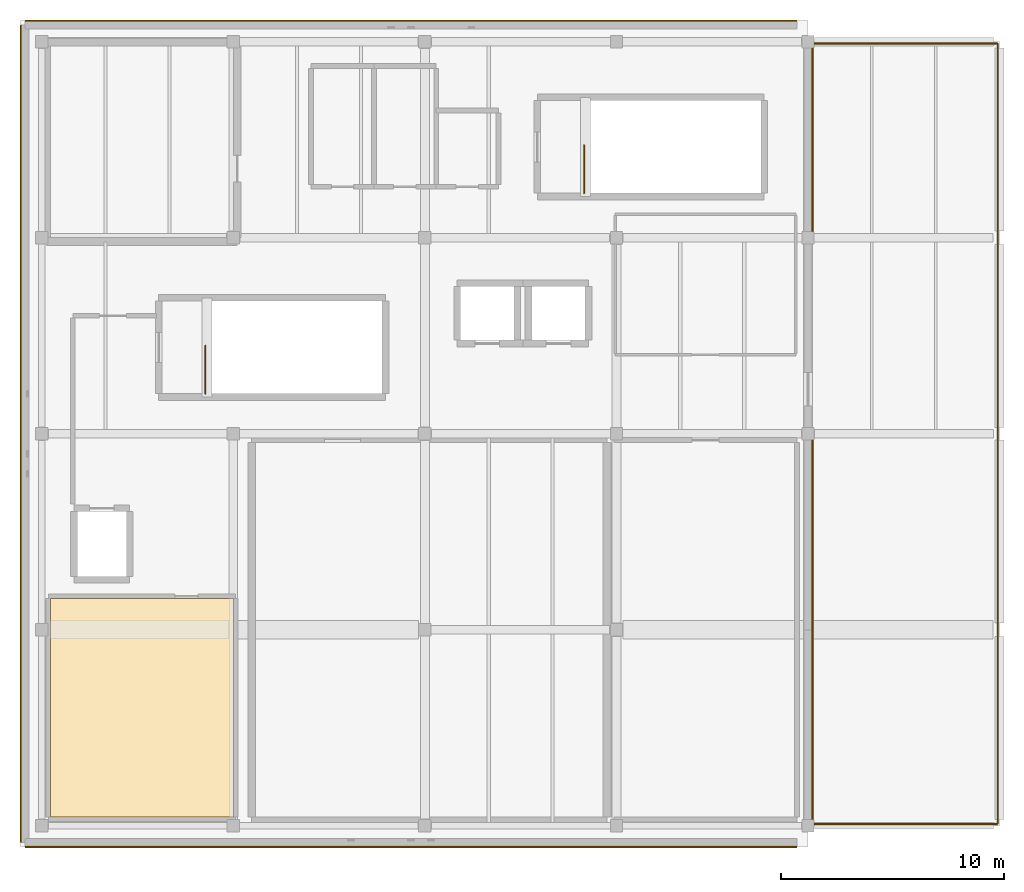
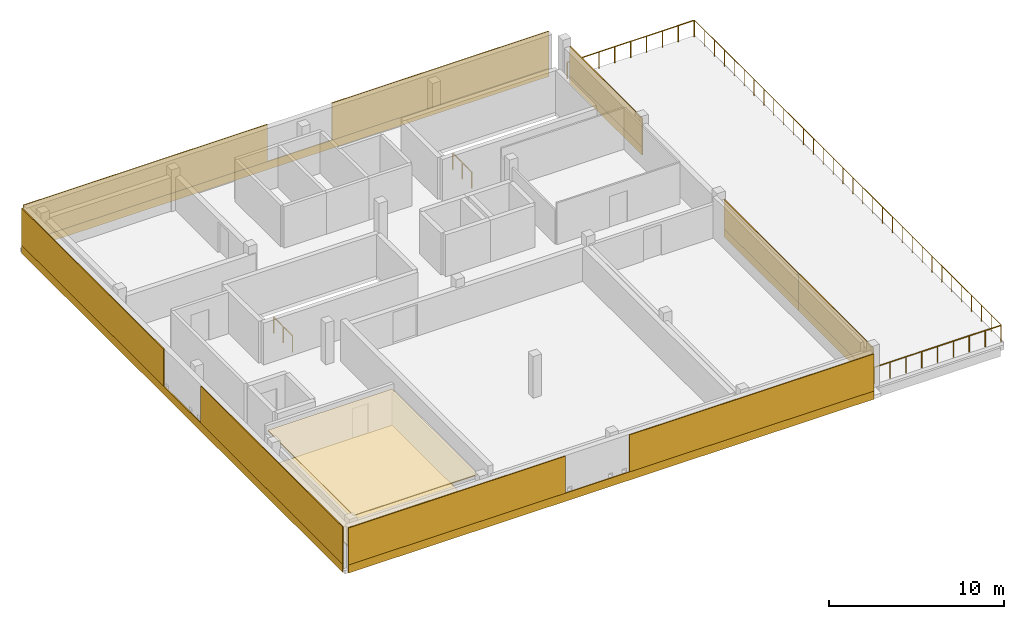
# One storey, part 6 of 6: 17 coverings, 5 railings.
"""IFC4 building model written with IfcOpenShell, lengths in metres."""

from ifc_helpers import new_model, si_unit, direction, frame, origin, origin_2d, place, context, subcontext, project, spatial, polyline, rectangle, circle, outline, extrude, material, layer, layer_set, type_object, element, save


model = new_model("IFC4")

# Units and contexts
model_context = context("Model", 3, precision=1e-05, world=origin(), true_north=direction((0.0, 1.0)))
body_context = subcontext(model_context, "Body", "Model", "MODEL_VIEW")
ifc_project = project(units=[si_unit("LENGTHUNIT", "METRE"), si_unit("AREAUNIT", "SQUARE_METRE"), si_unit("VOLUMEUNIT", "CUBIC_METRE"), si_unit("PLANEANGLEUNIT", "RADIAN"), si_unit("MASSUNIT", "GRAM", prefix="KILO")], contexts=[model_context])

# Site, building, storey
site_placement = place(None, origin())
site = spatial("IfcSite", under=ifc_project, at=site_placement, CompositionType="ELEMENT")
building_placement = place(site_placement, origin())
building = spatial("IfcBuilding", under=site, at=building_placement, Name="Varnakota Cinema and Media Centre", CompositionType="ELEMENT")
storey_placement = place(building_placement, frame((0.0, 0.0, 25.5)))
storey = spatial("IfcBuildingStorey", under=building, at=storey_placement, Name="L07", CompositionType="ELEMENT", Elevation=25.5)

# Coverings
ifc_material_1 = material(Name="Autoclaved aerated concrete blockwork", Category="masonry")
ifc_layer_1 = layer(ifc_material_1, 0.06005859375)
ifc_layer_set_1 = layer_set([ifc_layer_1], Name="Autoclaved aerated concrete blockwork")
covering_type_1 = type_object("IfcCoveringType", Name="COV-ACOUST-CEIL-60", PredefinedType="CEILING", material=ifc_layer_set_1)
covering_1_placement = place(storey_placement, frame((0.0, 0.0, 2.5)))
element("IfcCovering", 1, at=covering_1_placement, inside=storey, type_object=covering_type_1, Name="L07 Archival Subtitling and Editing Studio acoustic baffle ceiling", PredefinedType="CEILING", context=body_context, shape_type="SweptSolid", body=[
    extrude(outline(polyline([(0.39990234375, 0.39990234375), (8.60009765625, 0.39990234375), (8.60009765625, 10.199951171875), (0.39990234375, 10.199951171875), (0.39990234375, 0.39990234375)])), origin(), (0.0, 0.0, 1.0), 0.06005859375),
])
ifc_material_2 = material(Name="Deccan grey granite ashlar", Category="masonry")
ifc_layer_2 = layer(ifc_material_2, 0.044921875)
ifc_layer_set_2 = layer_set([ifc_layer_2], Name="Deccan grey granite ashlar")
covering_type_2 = type_object("IfcCoveringType", Name="COV-STUDIO-FLR-45", PredefinedType="FLOORING", material=ifc_layer_set_2)
covering_2_placement = place(storey_placement, origin())
element("IfcCovering", 2, at=covering_2_placement, inside=storey, type_object=covering_type_2, Name="L07 Archival Subtitling and Editing Studio isolated studio floor finish", PredefinedType="FLOORING", context=body_context, shape_type="SweptSolid", body=[
    extrude(outline(polyline([(0.39990234375, 0.39990234375), (8.60009765625, 0.39990234375), (8.60009765625, 10.199951171875), (0.39990234375, 10.199951171875), (0.39990234375, 0.39990234375)])), origin(), (0.0, 0.0, 1.0), 0.044921875),
])
ifc_material_3 = material(Name="Pale Tandur limestone cladding", Category="masonry")
ifc_layer_3 = layer(ifc_material_3, 0.06005859375)
ifc_layer_set_3 = layer_set([ifc_layer_3], Name="Pale Tandur limestone cladding")
covering_type_3 = type_object("IfcCoveringType", Name="COV-TANDUR-ASHLAR-60", PredefinedType="CLADDING", material=ifc_layer_set_3)
covering_3_placement = place(storey_placement, frame((16.580078125, -0.945068359375, -0.240234375), z_axis=(0.0, 0.0, 1.0), x_axis=(-1.0, 0.0, 0.0)))
element("IfcCovering", 3, at=covering_3_placement, inside=storey, type_object=covering_type_3, Name="L07 V4 pale Tandur stone spandrel ashlar V4-S", PredefinedType="CLADDING", context=body_context, shape_type="SweptSolid", body=[
    extrude(rectangle(XDim=34.639892578125, YDim=0.06005859375, at=origin_2d()), origin(), (0.0, 0.0, 1.0), 0.570068359375),
])
covering_4_placement = place(storey_placement, frame((25.85009765625, -0.945068359375, 0.330078125), z_axis=(0.0, 0.0, 1.0), x_axis=(-1.0, 0.0, 0.0)))
element("IfcCovering", 4, at=covering_4_placement, inside=storey, type_object=covering_type_3, Name="L07 V4 pale Tandur stone left corner ashlar V4-S", PredefinedType="CLADDING", context=body_context, shape_type="SweptSolid", body=[
    extrude(rectangle(XDim=16.10009765625, YDim=0.06005859375, at=origin_2d()), origin(), (0.0, 0.0, 1.0), 2.580078125),
])
covering_5_placement = place(storey_placement, frame((6.409912109375, -0.945068359375, 0.330078125), z_axis=(0.0, 0.0, 1.0), x_axis=(-1.0, 0.0, 0.0)))
element("IfcCovering", 5, at=covering_5_placement, inside=storey, type_object=covering_type_3, Name="L07 V4 pale Tandur stone right corner ashlar V4-S", PredefinedType="CLADDING", context=body_context, shape_type="SweptSolid", body=[
    extrude(rectangle(XDim=14.300048828125, YDim=0.06005859375, at=origin_2d()), origin(), (0.0, 0.0, 1.0), 2.580078125),
])
covering_6_placement = place(storey_placement, frame((-0.945068359375, 17.60009765625, -0.240234375), z_axis=(0.0, 0.0, 1.0), x_axis=(0.0, 1.0, 0.0)))
element("IfcCovering", 6, at=covering_6_placement, inside=storey, type_object=covering_type_3, Name="L07 V4 pale Tandur stone spandrel ashlar V4-W", PredefinedType="CLADDING", context=body_context, shape_type="SweptSolid", body=[
    extrude(rectangle(XDim=36.679931640625, YDim=0.06005859375, at=origin_2d()), origin(), (0.0, 0.0, 1.0), 0.570068359375),
])
for number, where, z_axis, x_axis, name in (
    (7, (-0.945068359375, 7.3701171875, 0.330078125), (0.0, 0.0, 1.0), (0.0, 1.0, 0.0), "L07 V4 pale Tandur stone left corner ashlar V4-W"),
    (8, (-0.945068359375, 27.830078125, 0.330078125), (0.0, 0.0, 1.0), (0.0, 1.0, 0.0), "L07 V4 pale Tandur stone right corner ashlar V4-W"),
):
    element("IfcCovering", number, at=place(storey_placement, frame(where, z_axis=z_axis, x_axis=x_axis)), inside=storey, type_object=covering_type_3, Name=name, PredefinedType="CLADDING", context=body_context, shape_type="SweptSolid", body=[
        extrude(rectangle(XDim=16.219970703125, YDim=0.06005859375, at=origin_2d()), origin(), (0.0, 0.0, 1.0), 2.580078125),
    ])
covering_7_placement = place(storey_placement, frame((16.580078125, 36.14501953125, -0.240234375), z_axis=(0.0, 0.0, 1.0), x_axis=(1.0, 0.0, 0.0)))
element("IfcCovering", 9, at=covering_7_placement, inside=storey, type_object=covering_type_3, Name="L07 V4 pale Tandur stone spandrel ashlar V4-N", PredefinedType="CLADDING", context=body_context, shape_type="SweptSolid", body=[
    extrude(rectangle(XDim=34.639892578125, YDim=0.06005859375, at=origin_2d()), origin(), (0.0, 0.0, 1.0), 0.570068359375),
])
covering_8_placement = place(storey_placement, frame((7.31005859375, 36.14501953125, 0.330078125), z_axis=(0.0, 0.0, 1.0), x_axis=(1.0, 0.0, 0.0)))
element("IfcCovering", 10, at=covering_8_placement, inside=storey, type_object=covering_type_3, Name="L07 V4 pale Tandur stone left corner ashlar V4-N", PredefinedType="CLADDING", context=body_context, shape_type="SweptSolid", body=[
    extrude(rectangle(XDim=16.10009765625, YDim=0.06005859375, at=origin_2d()), origin(), (0.0, 0.0, 1.0), 2.580078125),
])
covering_9_placement = place(storey_placement, frame((26.75, 36.14501953125, 0.330078125), z_axis=(0.0, 0.0, 1.0), x_axis=(1.0, 0.0, 0.0)))
element("IfcCovering", 11, at=covering_9_placement, inside=storey, type_object=covering_type_3, Name="L07 V4 pale Tandur stone right corner ashlar V4-N", PredefinedType="CLADDING", context=body_context, shape_type="SweptSolid", body=[
    extrude(rectangle(XDim=14.300048828125, YDim=0.06005859375, at=origin_2d()), origin(), (0.0, 0.0, 1.0), 2.580078125),
])
covering_10_placement = place(storey_placement, frame((34.60498046875, 30.800048828125, -0.240234375), z_axis=(0.0, 0.0, 1.0), x_axis=(0.0, -1.0, 0.0)))
element("IfcCovering", 12, at=covering_10_placement, inside=storey, type_object=covering_type_3, Name="L07 V4 pale Tandur stone spandrel ashlar V4-E-REF-01", PredefinedType="CLADDING", context=body_context, shape_type="SweptSolid", body=[
    extrude(rectangle(XDim=8.25, YDim=0.06005859375, at=origin_2d()), origin(), (0.0, 0.0, 1.0), 0.570068359375),
])
covering_11_placement = place(storey_placement, frame((34.60498046875, 30.800048828125, 0.330078125), z_axis=(0.0, 0.0, 1.0), x_axis=(0.0, -1.0, 0.0)))
element("IfcCovering", 13, at=covering_11_placement, inside=storey, type_object=covering_type_3, Name="L07 V4 pale Tandur stone full ashlar V4-E-REF-01", PredefinedType="CLADDING", context=body_context, shape_type="SweptSolid", body=[
    extrude(rectangle(XDim=8.25, YDim=0.06005859375, at=origin_2d()), origin(), (0.0, 0.0, 1.0), 2.014892578125),
])
covering_12_placement = place(storey_placement, frame((34.60498046875, 13.0625, -0.240234375), z_axis=(0.0, 0.0, 1.0), x_axis=(0.0, -1.0, 0.0)))
element("IfcCovering", 14, at=covering_12_placement, inside=storey, type_object=covering_type_3, Name="L07 V4 pale Tandur stone spandrel ashlar V4-E-REF-03", PredefinedType="CLADDING", context=body_context, shape_type="SweptSolid", body=[
    extrude(rectangle(XDim=8.52490234375, YDim=0.06005859375, at=origin_2d()), origin(), (0.0, 0.0, 1.0), 0.570068359375),
])
covering_13_placement = place(storey_placement, frame((34.60498046875, 13.0625, 0.330078125), z_axis=(0.0, 0.0, 1.0), x_axis=(0.0, -1.0, 0.0)))
element("IfcCovering", 15, at=covering_13_placement, inside=storey, type_object=covering_type_3, Name="L07 V4 pale Tandur stone full ashlar V4-E-REF-03", PredefinedType="CLADDING", context=body_context, shape_type="SweptSolid", body=[
    extrude(rectangle(XDim=8.52490234375, YDim=0.06005859375, at=origin_2d()), origin(), (0.0, 0.0, 1.0), 2.014892578125),
])
covering_14_placement = place(storey_placement, frame((34.60498046875, 4.53759765625, -0.240234375), z_axis=(0.0, 0.0, 1.0), x_axis=(0.0, -1.0, 0.0)))
element("IfcCovering", 16, at=covering_14_placement, inside=storey, type_object=covering_type_3, Name="L07 V4 pale Tandur stone spandrel ashlar V4-E-REF-04", PredefinedType="CLADDING", context=body_context, shape_type="SweptSolid", body=[
    extrude(rectangle(XDim=8.52490234375, YDim=0.06005859375, at=origin_2d()), origin(), (0.0, 0.0, 1.0), 0.570068359375),
])
covering_15_placement = place(storey_placement, frame((34.60498046875, 4.53759765625, 0.330078125), z_axis=(0.0, 0.0, 1.0), x_axis=(0.0, -1.0, 0.0)))
element("IfcCovering", 17, at=covering_15_placement, inside=storey, type_object=covering_type_3, Name="L07 V4 pale Tandur stone full ashlar V4-E-REF-04", PredefinedType="CLADDING", context=body_context, shape_type="SweptSolid", body=[
    extrude(rectangle(XDim=8.52490234375, YDim=0.06005859375, at=origin_2d()), origin(), (0.0, 0.0, 1.0), 2.014892578125),
])

# Railings
ifc_material_4 = material(Name="Anodised golden-bronze steel Grade 350 (E350)", Category="steel")
ifc_layer_4 = layer(ifc_material_4, 0.050048828125)
ifc_layer_set_4 = layer_set([ifc_layer_4], Name="Anodised golden-bronze steel Grade 350 (E350)")
railing_type_1 = type_object("IfcRailingType", Name="RAIL-GUARD-1150", PredefinedType="BALUSTRADE", material=ifc_layer_set_4)
railing_1_placement = place(storey_placement, frame((34.530029296875, 0.080078125, 0.0)))
element("IfcRailing", 18, at=railing_1_placement, inside=storey, type_object=railing_type_1, Name="L07 guard balustrade GRD-L07-REF-1", PredefinedType="BALUSTRADE", context=body_context, shape_type="SweptSolid", body=[
    extrude(circle(Radius=0.02392578125, at=origin_2d()), frame((0.0, 0.0, 1.1259765625), z_axis=(1.0, 0.0, 0.0), x_axis=(0.0, 1.0, 0.0)), (0.0, 0.0, 1.0), 8.35986328125),
    extrude(circle(Radius=0.02099609375, at=origin_2d()), origin(), (0.0, 0.0, 1.0), 1.101806640625),
    extrude(circle(Radius=0.02099609375, at=origin_2d()), frame((1.044921875, 0.0, 0.0)), (0.0, 0.0, 1.0), 1.101806640625),
    extrude(circle(Radius=0.02099609375, at=origin_2d()), frame((2.08984375, 0.0, 0.0)), (0.0, 0.0, 1.0), 1.101806640625),
    extrude(circle(Radius=0.02099609375, at=origin_2d()), frame((3.135009765625, 0.0, 0.0)), (0.0, 0.0, 1.0), 1.101806640625),
    extrude(circle(Radius=0.02099609375, at=origin_2d()), frame((4.179931640625, 0.0, 0.0)), (0.0, 0.0, 1.0), 1.101806640625),
    extrude(circle(Radius=0.02099609375, at=origin_2d()), frame((5.224853515625, 0.0, 0.0)), (0.0, 0.0, 1.0), 1.101806640625),
    extrude(circle(Radius=0.02099609375, at=origin_2d()), frame((6.27001953125, 0.0, 0.0)), (0.0, 0.0, 1.0), 1.101806640625),
    extrude(circle(Radius=0.02099609375, at=origin_2d()), frame((7.31494140625, 0.0, 0.0)), (0.0, 0.0, 1.0), 1.101806640625),
    extrude(circle(Radius=0.02099609375, at=origin_2d()), frame((8.35986328125, 0.0, 0.0)), (0.0, 0.0, 1.0), 1.101806640625),
])
railing_2_placement = place(storey_placement, frame((42.919921875, 0.110107421875, 0.0)))
element("IfcRailing", 19, at=railing_2_placement, inside=storey, type_object=railing_type_1, Name="L07 guard balustrade GRD-L07-REF-2", PredefinedType="BALUSTRADE", context=body_context, shape_type="SweptSolid", body=[
    extrude(circle(Radius=0.02392578125, at=origin_2d()), frame((0.0, 0.0, 1.1259765625), z_axis=(0.0, 1.0, 0.0), x_axis=(-1.0, 0.0, 0.0)), (0.0, 0.0, 1.0), 34.97998046875),
    extrude(circle(Radius=0.02099609375, at=origin_2d()), origin(), (0.0, 0.0, 1.0), 1.101806640625),
    extrude(circle(Radius=0.02099609375, at=origin_2d()), frame((0.0, 1.12841796875, 0.0)), (0.0, 0.0, 1.0), 1.101806640625),
    extrude(circle(Radius=0.02099609375, at=origin_2d()), frame((0.0, 2.2568359375, 0.0)), (0.0, 0.0, 1.0), 1.101806640625),
    extrude(circle(Radius=0.02099609375, at=origin_2d()), frame((0.0, 3.38525390625, 0.0)), (0.0, 0.0, 1.0), 1.101806640625),
    extrude(circle(Radius=0.02099609375, at=origin_2d()), frame((0.0, 4.513427734375, 0.0)), (0.0, 0.0, 1.0), 1.101806640625),
    extrude(circle(Radius=0.02099609375, at=origin_2d()), frame((0.0, 5.641845703125, 0.0)), (0.0, 0.0, 1.0), 1.101806640625),
    extrude(circle(Radius=0.02099609375, at=origin_2d()), frame((0.0, 6.770263671875, 0.0)), (0.0, 0.0, 1.0), 1.101806640625),
    extrude(circle(Radius=0.02099609375, at=origin_2d()), frame((0.0, 7.898681640625, 0.0)), (0.0, 0.0, 1.0), 1.101806640625),
    extrude(circle(Radius=0.02099609375, at=origin_2d()), frame((0.0, 9.027099609375, 0.0)), (0.0, 0.0, 1.0), 1.101806640625),
    extrude(circle(Radius=0.02099609375, at=origin_2d()), frame((0.0, 10.155517578125, 0.0)), (0.0, 0.0, 1.0), 1.101806640625),
    extrude(circle(Radius=0.02099609375, at=origin_2d()), frame((0.0, 11.283935546875, 0.0)), (0.0, 0.0, 1.0), 1.101806640625),
    extrude(circle(Radius=0.02099609375, at=origin_2d()), frame((0.0, 12.412353515625, 0.0)), (0.0, 0.0, 1.0), 1.101806640625),
    extrude(circle(Radius=0.02099609375, at=origin_2d()), frame((0.0, 13.54052734375, 0.0)), (0.0, 0.0, 1.0), 1.101806640625),
    extrude(circle(Radius=0.02099609375, at=origin_2d()), frame((0.0, 14.6689453125, 0.0)), (0.0, 0.0, 1.0), 1.101806640625),
    extrude(circle(Radius=0.02099609375, at=origin_2d()), frame((0.0, 15.79736328125, 0.0)), (0.0, 0.0, 1.0), 1.101806640625),
    extrude(circle(Radius=0.02099609375, at=origin_2d()), frame((0.0, 16.92578125, 0.0)), (0.0, 0.0, 1.0), 1.101806640625),
    extrude(circle(Radius=0.02099609375, at=origin_2d()), frame((0.0, 18.05419921875, 0.0)), (0.0, 0.0, 1.0), 1.101806640625),
    extrude(circle(Radius=0.02099609375, at=origin_2d()), frame((0.0, 19.1826171875, 0.0)), (0.0, 0.0, 1.0), 1.101806640625),
    extrude(circle(Radius=0.02099609375, at=origin_2d()), frame((0.0, 20.31103515625, 0.0)), (0.0, 0.0, 1.0), 1.101806640625),
    extrude(circle(Radius=0.02099609375, at=origin_2d()), frame((0.0, 21.439453125, 0.0)), (0.0, 0.0, 1.0), 1.101806640625),
    extrude(circle(Radius=0.02099609375, at=origin_2d()), frame((0.0, 22.567626953125, 0.0)), (0.0, 0.0, 1.0), 1.101806640625),
    extrude(circle(Radius=0.02099609375, at=origin_2d()), frame((0.0, 23.696044921875, 0.0)), (0.0, 0.0, 1.0), 1.101806640625),
    extrude(circle(Radius=0.02099609375, at=origin_2d()), frame((0.0, 24.824462890625, 0.0)), (0.0, 0.0, 1.0), 1.101806640625),
    extrude(circle(Radius=0.02099609375, at=origin_2d()), frame((0.0, 25.952880859375, 0.0)), (0.0, 0.0, 1.0), 1.101806640625),
    extrude(circle(Radius=0.02099609375, at=origin_2d()), frame((0.0, 27.081298828125, 0.0)), (0.0, 0.0, 1.0), 1.101806640625),
    extrude(circle(Radius=0.02099609375, at=origin_2d()), frame((0.0, 28.209716796875, 0.0)), (0.0, 0.0, 1.0), 1.101806640625),
    extrude(circle(Radius=0.02099609375, at=origin_2d()), frame((0.0, 29.338134765625, 0.0)), (0.0, 0.0, 1.0), 1.101806640625),
    extrude(circle(Radius=0.02099609375, at=origin_2d()), frame((0.0, 30.466552734375, 0.0)), (0.0, 0.0, 1.0), 1.101806640625),
    extrude(circle(Radius=0.02099609375, at=origin_2d()), frame((0.0, 31.5947265625, 0.0)), (0.0, 0.0, 1.0), 1.101806640625),
    extrude(circle(Radius=0.02099609375, at=origin_2d()), frame((0.0, 32.72314453125, 0.0)), (0.0, 0.0, 1.0), 1.101806640625),
    extrude(circle(Radius=0.02099609375, at=origin_2d()), frame((0.0, 33.8515625, 0.0)), (0.0, 0.0, 1.0), 1.101806640625),
    extrude(circle(Radius=0.02099609375, at=origin_2d()), frame((0.0, 34.97998046875, 0.0)), (0.0, 0.0, 1.0), 1.101806640625),
])
railing_3_placement = place(storey_placement, frame((42.889892578125, 35.1201171875, 0.0)))
element("IfcRailing", 20, at=railing_3_placement, inside=storey, type_object=railing_type_1, Name="L07 guard balustrade GRD-L07-REF-3", PredefinedType="BALUSTRADE", context=body_context, shape_type="SweptSolid", body=[
    extrude(circle(Radius=0.02392578125, at=origin_2d()), frame((0.0, 0.0, 1.1259765625), z_axis=(-1.0, 0.0, 0.0), x_axis=(0.0, -1.0, 0.0)), (0.0, 0.0, 1.0), 8.35986328125),
    extrude(circle(Radius=0.02099609375, at=origin_2d()), origin(), (0.0, 0.0, 1.0), 1.101806640625),
    extrude(circle(Radius=0.02099609375, at=origin_2d()), frame((-1.044921875, 0.0, 0.0)), (0.0, 0.0, 1.0), 1.101806640625),
    extrude(circle(Radius=0.02099609375, at=origin_2d()), frame((-2.08984375, 0.0, 0.0)), (0.0, 0.0, 1.0), 1.101806640625),
    extrude(circle(Radius=0.02099609375, at=origin_2d()), frame((-3.135009765625, 0.0, 0.0)), (0.0, 0.0, 1.0), 1.101806640625),
    extrude(circle(Radius=0.02099609375, at=origin_2d()), frame((-4.179931640625, 0.0, 0.0)), (0.0, 0.0, 1.0), 1.101806640625),
    extrude(circle(Radius=0.02099609375, at=origin_2d()), frame((-5.224853515625, 0.0, 0.0)), (0.0, 0.0, 1.0), 1.101806640625),
    extrude(circle(Radius=0.02099609375, at=origin_2d()), frame((-6.27001953125, 0.0, 0.0)), (0.0, 0.0, 1.0), 1.101806640625),
    extrude(circle(Radius=0.02099609375, at=origin_2d()), frame((-7.31494140625, 0.0, 0.0)), (0.0, 0.0, 1.0), 1.101806640625),
    extrude(circle(Radius=0.02099609375, at=origin_2d()), frame((-8.35986328125, 0.0, 0.0)), (0.0, 0.0, 1.0), 1.101806640625),
])
ifc_material_5 = material(Name="Structural steel Grade 350 (E350)", Category="steel")
ifc_layer_5 = layer(ifc_material_5, 0.050048828125)
ifc_layer_set_5 = layer_set([ifc_layer_5], Name="Structural steel Grade 350 (E350)")
railing_type_2 = type_object("IfcRailingType", Name="RAIL-STAIR-GUARD-1150", PredefinedType="GUARDRAIL", material=ifc_layer_set_5)
for number, where, name in (
    (21, (7.35009765625, 19.39990234375, 0.0), "L07 ST-01 top well guard 1"),
    (22, (24.35009765625, 28.39990234375, 0.0), "L07 ST-02 top well guard 1"),
):
    element("IfcRailing", number, at=place(storey_placement, frame(where)), inside=storey, type_object=railing_type_2, Name=name, PredefinedType="GUARDRAIL", context=body_context, shape_type="SweptSolid", body=[
        extrude(circle(Radius=0.02392578125, at=origin_2d()), frame((0.0, 0.0, 1.1259765625), z_axis=(0.0, 1.0, 0.0), x_axis=(-1.0, 0.0, 0.0)), (0.0, 0.0, 1.0), 2.150146484375),
        extrude(circle(Radius=0.02099609375, at=origin_2d()), origin(), (0.0, 0.0, 1.0), 1.101806640625),
        extrude(circle(Radius=0.02099609375, at=origin_2d()), frame((0.0, 1.0751953125, 0.0)), (0.0, 0.0, 1.0), 1.101806640625),
        extrude(circle(Radius=0.02099609375, at=origin_2d()), frame((0.0, 2.150146484375, 0.0)), (0.0, 0.0, 1.0), 1.101806640625),
    ])

save(model, "model.ifc")
